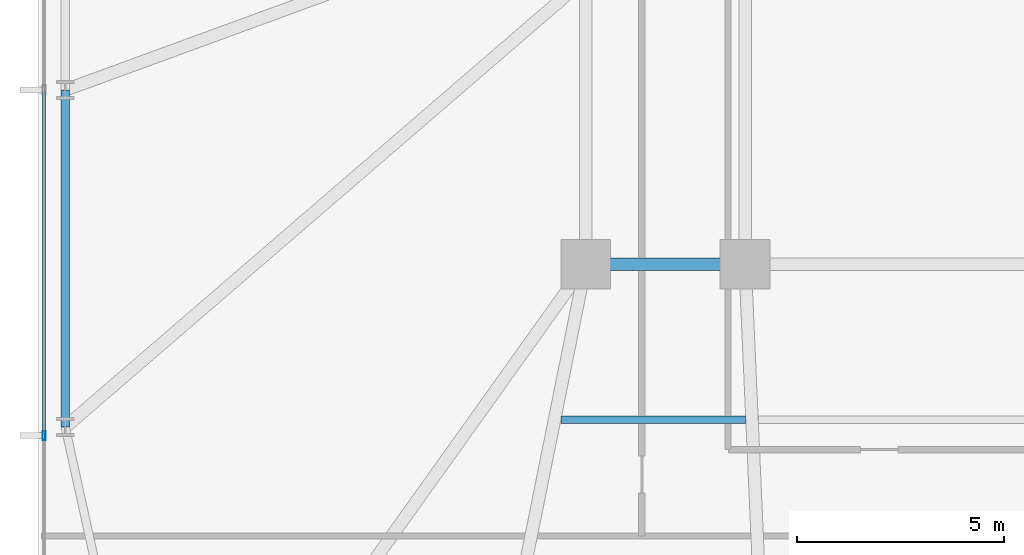
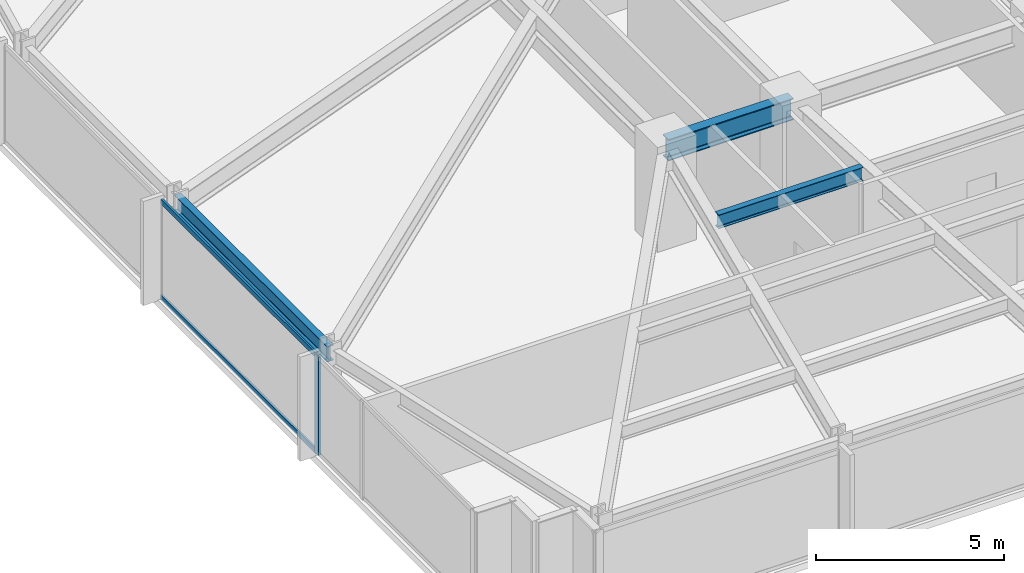
# One storey, part 4 of 32: 3 beams, 3 members, 1 element without a shape of its own.
"""IFC4 building model written with IfcOpenShell, lengths in metres."""

from ifc_helpers import new_model, si_unit, direction, frame, origin, origin_2d, place, context, subcontext, project, spatial, hollow_rectangle, i_section, extrude, material, material_profile, profile_set, type_object, element, aggregate, save


model = new_model("IFC4")

# Units and contexts
model_context = context("Model", 3, precision=1e-05, world=origin(), true_north=direction((0.0, 1.0)))
body_context = subcontext(model_context, "Body", "Model", "MODEL_VIEW")
ifc_project = project(units=[si_unit("LENGTHUNIT", "METRE"), si_unit("AREAUNIT", "SQUARE_METRE"), si_unit("VOLUMEUNIT", "CUBIC_METRE"), si_unit("PLANEANGLEUNIT", "RADIAN"), si_unit("MASSUNIT", "GRAM", prefix="KILO")], contexts=[model_context])

# Site, building, storey
site_placement = place(None, origin())
site = spatial("IfcSite", under=ifc_project, at=site_placement, CompositionType="ELEMENT")
building_placement = place(site_placement, origin())
building = spatial("IfcBuilding", under=site, at=building_placement, Name="Yelkora Congress Tower", CompositionType="ELEMENT")
storey_placement = place(building_placement, frame((0.0, 0.0, 33.800048828125)))
storey = spatial("IfcBuildingStorey", under=building, at=storey_placement, Name="L07", CompositionType="ELEMENT", Elevation=33.800048828125)

# Beams
ifc_material_1 = material(Name="Steel S355J2", Category="steel")
ifc_material_profile_1 = material_profile(ifc_material_1, i_section(OverallWidth=0.300048828125, OverallDepth=0.699951171875, WebThickness=0.01708984375, FlangeThickness=0.031982421875, FilletRadius=0.027099609375, at=origin_2d()), Name="HEB 700")
ifc_profile_set_1 = profile_set([ifc_material_profile_1], Name="Steel S355J2")
beam_type_1 = type_object("IfcBeamType", Name="BM-GIRD-HEB700", PredefinedType="BEAM", material=ifc_profile_set_1)
beam_1_placement = place(storey_placement, frame((19.199951171875, 25.199951171875, 2.829833984375), z_axis=(1.0, 0.0, 0.0), x_axis=(0.0, 1.0, 0.0)))
element("IfcBeam", 1, at=beam_1_placement, inside=storey, type_object=beam_type_1, Name="L07 Spine Grid D Girder 1", PredefinedType="BEAM", context=body_context, shape_type="SweptSolid", body=[
    extrude(i_section(OverallWidth=0.300048828125, OverallDepth=0.699951171875, WebThickness=0.01708984375, FlangeThickness=0.031982421875, FilletRadius=0.027099609375, at=origin_2d()), origin(), (0.0, 0.0, 1.0), 3.840087890625),
])
ifc_material_profile_2 = material_profile(ifc_material_1, i_section(OverallWidth=0.18994140625, OverallDepth=0.449951171875, WebThickness=0.009521484375, FlangeThickness=0.0146484375, FilletRadius=0.02099609375, at=origin_2d()), Name="IPE 450")
ifc_profile_set_2 = profile_set([ifc_material_profile_2], Name="Steel S355J2")
beam_type_2 = type_object("IfcBeamType", Name="BM-JOIST-IPE450", PredefinedType="JOIST", material=ifc_profile_set_2)
beam_2_placement = place(storey_placement, frame((18.60546875, 21.449951171875, 2.954833984375), z_axis=(1.0, 0.0, 0.0), x_axis=(0.0, 1.0, 0.0)))
element("IfcBeam", 2, at=beam_2_placement, inside=storey, type_object=beam_type_2, Name="L07 Composite Floor Joist 17", PredefinedType="JOIST", context=body_context, shape_type="SweptSolid", body=[
    extrude(i_section(OverallWidth=0.18994140625, OverallDepth=0.449951171875, WebThickness=0.009521484375, FlangeThickness=0.0146484375, FilletRadius=0.02099609375, at=origin_2d()), origin(), (0.0, 0.0, 1.0), 4.4404296875),
])
ifc_material_profile_3 = material_profile(ifc_material_1, i_section(OverallWidth=0.199951171875, OverallDepth=0.5, WebThickness=0.01025390625, FlangeThickness=0.01611328125, FilletRadius=0.02099609375, at=origin_2d()), Name="IPE 500")
ifc_profile_set_3 = profile_set([ifc_material_profile_3], Name="Steel S355J2")
beam_type_3 = type_object("IfcBeamType", Name="BM-SPAN-IPE500", PredefinedType="SPANDREL", material=ifc_profile_set_3)
beam_3_placement = place(storey_placement, frame((6.64990234375, 29.39990234375, 2.929931640625), z_axis=(0.0, -1.0, 0.0), x_axis=(1.0, 0.0, 0.0)))
element("IfcBeam", 3, at=beam_3_placement, inside=storey, type_object=beam_type_3, Name="L07 Perimeter Beam 19", PredefinedType="SPANDREL", context=body_context, shape_type="SweptSolid", body=[
    extrude(i_section(OverallWidth=0.199951171875, OverallDepth=0.5, WebThickness=0.01025390625, FlangeThickness=0.01611328125, FilletRadius=0.02099609375, at=origin_2d()), origin(), (0.0, 0.0, 1.0), 8.125),
])

# Curtain wall, members
ifc_material_2 = material(Name="Anodised aluminium and insulated glass", Category="aluminium")
curtain_wall_type = type_object("IfcCurtainWallType", Name="CW-SYS-B1", PredefinedType="NOTDEFINED", material=ifc_material_2)
curtain_wall_placement = place(storey_placement, origin())
curtain_wall = element("IfcCurtainWall", 4, at=curtain_wall_placement, inside=storey, type_object=curtain_wall_type, Name="L07 Unitised Curtain Wall 5", PredefinedType="NOTDEFINED")
ifc_material_3 = material(Name="Anodised aluminium 6063-T6", Category="aluminium")
ifc_material_profile_4 = material_profile(ifc_material_3, hollow_rectangle(XDim=0.074951171875, YDim=0.219970703125, WallThickness=0.0048828125, at=origin_2d()), Name="ALU 75x220x5")
ifc_profile_set_4 = profile_set([ifc_material_profile_4], Name="Anodised aluminium 6063-T6")
member_type_1 = type_object("IfcMemberType", Name="MEM-ML-B1", PredefinedType="MULLION", material=ifc_profile_set_4)
member_1_placement = place(storey_placement, frame((6.139892578125, 21.070068359375, 0.0), z_axis=(0.0, 0.0, 1.0), x_axis=(-1.0, 0.0, 0.0)))
member_1 = element("IfcMember", 5, at=member_1_placement, type_object=member_type_1, Name="CW-B1 mullion 2", PredefinedType="MULLION", context=body_context, shape_type="SweptSolid", body=[
    extrude(hollow_rectangle(XDim=0.074951171875, YDim=0.219970703125, WallThickness=0.0048828125, at=origin_2d()), origin(), (0.0, 0.0, 1.0), 3.179931640625),
])
ifc_material_profile_5 = material_profile(ifc_material_3, hollow_rectangle(XDim=0.06494140625, YDim=0.159912109375, WallThickness=0.00390625, at=origin_2d()), Name="ALU 65x160x4")
ifc_profile_set_5 = profile_set([ifc_material_profile_5], Name="Anodised aluminium 6063-T6")
member_type_2 = type_object("IfcMemberType", Name="MEM-TR-B1", PredefinedType="USERDEFINED", material=ifc_profile_set_5)
member_2_placement = place(storey_placement, frame((6.139892578125, 21.107421875, 0.032470703125), z_axis=(0.0, 1.0, 0.0), x_axis=(-1.0, 0.0, 0.0)))
member_2 = element("IfcMember", 6, at=member_2_placement, type_object=member_type_2, Name="CW-B1 transom 2.1", ObjectType="TRANSOM", PredefinedType="USERDEFINED", context=body_context, shape_type="SweptSolid", body=[
    extrude(hollow_rectangle(XDim=0.06494140625, YDim=0.159912109375, WallThickness=0.00390625, at=origin_2d()), origin(), (0.0, 0.0, 1.0), 8.255126953125),
])
member_3_placement = place(storey_placement, frame((6.139892578125, 21.107421875, 3.1474609375), z_axis=(0.0, 1.0, 0.0), x_axis=(-1.0, 0.0, 0.0)))
member_3 = element("IfcMember", 7, at=member_3_placement, type_object=member_type_2, Name="CW-B1 transom 2.2", ObjectType="TRANSOM", PredefinedType="USERDEFINED", context=body_context, shape_type="SweptSolid", body=[
    extrude(hollow_rectangle(XDim=0.06494140625, YDim=0.159912109375, WallThickness=0.00390625, at=origin_2d()), origin(), (0.0, 0.0, 1.0), 8.255126953125),
])
aggregate(curtain_wall, [member_1, member_2, member_3])

save(model, "model.ifc")
